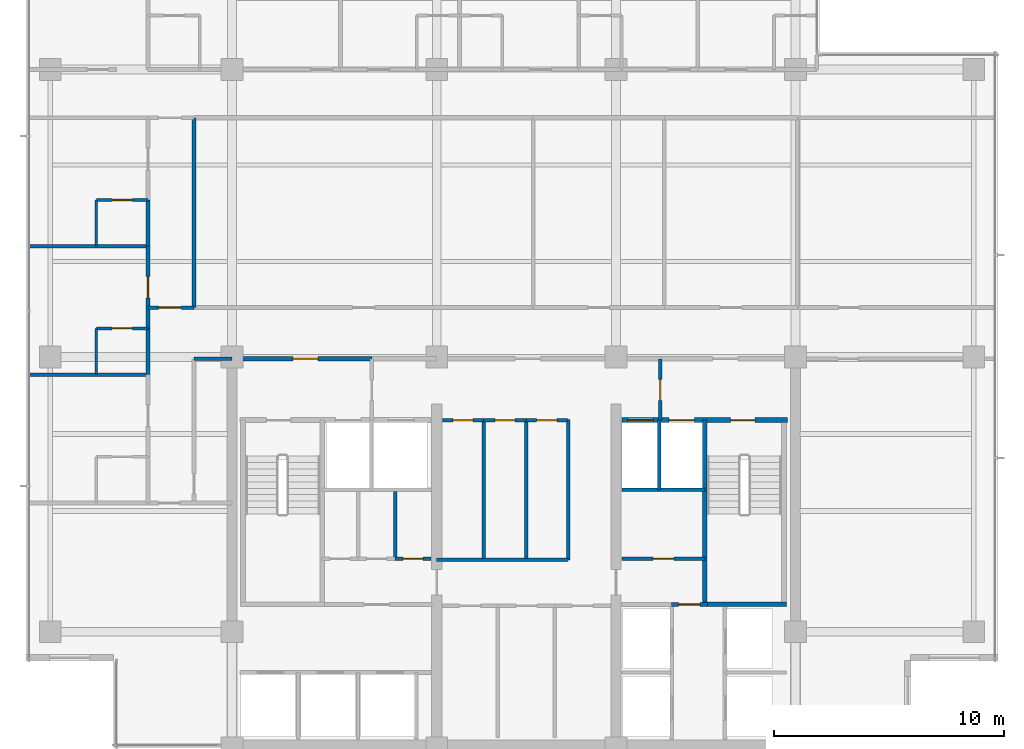
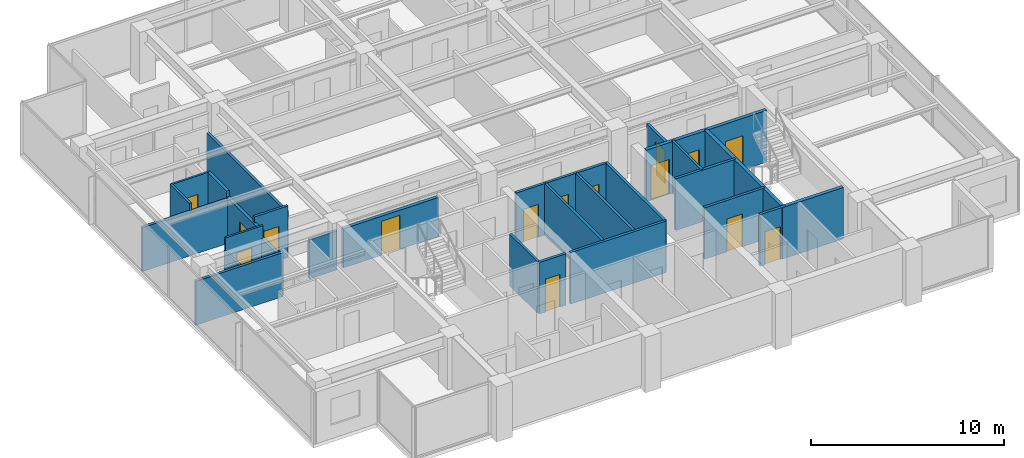
# One storey, part 8 of 15: 30 walls, 15 doors, 15 openings.
"""IFC4 building model written with IfcOpenShell, lengths in metres."""

from ifc_helpers import new_model, si_unit, direction, frame, frame_2d, origin, place, context, subcontext, project, spatial, rectangle, extrude, material, layer, layer_set, type_object, element, fill, save


model = new_model("IFC4")

# Units and contexts
model_context = context("Model", 3, precision=1e-05, world=origin(), true_north=direction((0.0, 1.0)))
body_context = subcontext(model_context, "Body", "Model", "MODEL_VIEW")
ifc_project = project(units=[si_unit("LENGTHUNIT", "METRE"), si_unit("AREAUNIT", "SQUARE_METRE"), si_unit("VOLUMEUNIT", "CUBIC_METRE"), si_unit("PLANEANGLEUNIT", "RADIAN"), si_unit("MASSUNIT", "GRAM", prefix="KILO")], contexts=[model_context])

# Site, building, storey
site_placement = place(None, origin())
site = spatial("IfcSite", under=ifc_project, at=site_placement, CompositionType="ELEMENT")
building_placement = place(site_placement, origin())
building = spatial("IfcBuilding", under=site, at=building_placement, Name="Qalmaran Belvedere Hotel", CompositionType="ELEMENT")
storey_placement = place(building_placement, frame((0.0, 0.0, 196.89990234375)))
storey = spatial("IfcBuildingStorey", under=building, at=storey_placement, Name="L49", CompositionType="ELEMENT", Elevation=196.89990234375)

# Wall, opening, door
ifc_material_1 = material(Name="Moisture-Resistant Gypsum")
ifc_layer_1 = layer(ifc_material_1, 0.1201171875, Name="Moisture-Resistant Gypsum")
ifc_layer_set_1 = layer_set([ifc_layer_1], Name="Moisture-Resistant Gypsum")
wall_type_1 = type_object("IfcWallType", Name="WL-INT-120-BATH", PredefinedType="PARTITIONING", material=ifc_layer_set_1)
wall_1_placement = place(storey_placement, frame((14.39990234375, 21.743408203125, 0.0), z_axis=(0.0, 0.0, 1.0), x_axis=(1.0, 0.0, 0.0)))
wall_1 = element("IfcWall", 1, at=wall_1_placement, inside=storey, type_object=wall_type_1, Name="L49 Partition WL-L49-WBN01", PredefinedType="PARTITIONING", context=body_context, shape_type="SweptSolid", body=[
    extrude(rectangle(XDim=2.25, YDim=0.1201171875, at=frame_2d((1.125, 0.0))), origin(), (0.0, 0.0, 1.0), 3.260009765625),
])
opening_1_placement = place(wall_1_placement, frame((1.56494140625, 0.0, 0.0), z_axis=(0.0, 0.0, 1.0), x_axis=(-1.0, 0.0, 0.0)))
opening_1 = element("IfcOpeningElement", 2, at=opening_1_placement, cuts=wall_1, Name="Opening D-BATH", PredefinedType="OPENING", context=body_context, shape_type="SweptSolid", body=[
    extrude(rectangle(XDim=0.8798828125, YDim=2.080078125, at=frame_2d((0.43994140625, 1.0400390625))), frame((0.0, 0.070068359375, 0.0), z_axis=(0.0, -1.0, 0.0), x_axis=(1.0, 0.0, 0.0)), (0.0, 0.0, 1.0), 0.14013671875),
])
ifc_material_2 = material(Name="Engineered Oak Veneer")
door_type_1 = type_object("IfcDoorType", Name="DR-INT-BATH-880X2080", OperationType="NOTDEFINED", PredefinedType="DOOR", material=ifc_material_2)
door_1_placement = place(opening_1_placement, origin())
door_1 = element("IfcDoor", 3, at=door_1_placement, inside=storey, type_object=door_type_1, Name="L49 W Ensuite Door 02", OperationType="SINGLE_SWING_RIGHT", OverallHeight=2.080078125, OverallWidth=0.8798828125, PredefinedType="DOOR", context=body_context, shape_type="SweptSolid", body=[
    extrude(rectangle(XDim=0.8798828125, YDim=2.080078125, at=frame_2d((0.43994140625, 1.0400390625))), frame((0.0, 0.02490234375, 0.0), z_axis=(0.0, -1.0, 0.0), x_axis=(1.0, 0.0, 0.0)), (0.0, 0.0, 1.0), 0.050048828125),
])
fill(opening_1, door_1)

# Wall
wall_2_placement = place(storey_placement, frame((14.39990234375, 19.7333984375, 0.0), z_axis=(0.0, 0.0, 1.0), x_axis=(0.0, 1.0, 0.0)))
element("IfcWall", 4, at=wall_2_placement, inside=storey, type_object=wall_type_1, Name="L49 Partition WL-L49-WBS01", PredefinedType="PARTITIONING", context=body_context, shape_type="SweptSolid", body=[
    extrude(rectangle(XDim=2.010009765625, YDim=0.1201171875, at=frame_2d((1.0048828125, 0.0))), origin(), (0.0, 0.0, 1.0), 2.47216796875),
])

# Wall, opening, door
wall_3_placement = place(storey_placement, frame((14.39990234375, 27.32666015625, 0.0), z_axis=(0.0, 0.0, 1.0), x_axis=(1.0, 0.0, 0.0)))
wall_3 = element("IfcWall", 5, at=wall_3_placement, inside=storey, type_object=wall_type_1, Name="L49 Partition WL-L49-WBN02", PredefinedType="PARTITIONING", context=body_context, shape_type="SweptSolid", body=[
    extrude(rectangle(XDim=2.25, YDim=0.1201171875, at=frame_2d((1.125, 0.0))), origin(), (0.0, 0.0, 1.0), 3.260009765625),
])
opening_2_placement = place(wall_3_placement, frame((1.56494140625, 0.0, 0.0), z_axis=(0.0, 0.0, 1.0), x_axis=(-1.0, 0.0, 0.0)))
opening_2 = element("IfcOpeningElement", 6, at=opening_2_placement, cuts=wall_3, Name="Opening D-BATH", PredefinedType="OPENING", context=body_context, shape_type="SweptSolid", body=[
    extrude(rectangle(XDim=0.8798828125, YDim=2.080078125, at=frame_2d((0.43994140625, 1.0400390625))), frame((0.0, 0.070068359375, 0.0), z_axis=(0.0, -1.0, 0.0), x_axis=(1.0, 0.0, 0.0)), (0.0, 0.0, 1.0), 0.14013671875),
])
door_2_placement = place(opening_2_placement, origin())
door_2 = element("IfcDoor", 7, at=door_2_placement, inside=storey, type_object=door_type_1, Name="L49 W Ensuite Door 03", OperationType="SINGLE_SWING_RIGHT", OverallHeight=2.080078125, OverallWidth=0.8798828125, PredefinedType="DOOR", context=body_context, shape_type="SweptSolid", body=[
    extrude(rectangle(XDim=0.8798828125, YDim=2.080078125, at=frame_2d((0.43994140625, 1.0400390625))), frame((0.0, 0.02490234375, 0.0), z_axis=(0.0, -1.0, 0.0), x_axis=(1.0, 0.0, 0.0)), (0.0, 0.0, 1.0), 0.050048828125),
])
fill(opening_2, door_2)

# Walls
wall_4_placement = place(storey_placement, frame((14.39990234375, 25.316650390625, 0.0), z_axis=(0.0, 0.0, 1.0), x_axis=(0.0, 1.0, 0.0)))
element("IfcWall", 8, at=wall_4_placement, inside=storey, type_object=wall_type_1, Name="L49 Partition WL-L49-WBS02", PredefinedType="PARTITIONING", context=body_context, shape_type="SweptSolid", body=[
    extrude(rectangle(XDim=2.010009765625, YDim=0.1201171875, at=frame_2d((1.0048828125, 0.0))), origin(), (0.0, 0.0, 1.0), 3.260009765625),
])
ifc_material_3 = material(Name="Gypsum Stud Partition")
ifc_layer_2 = layer(ifc_material_3, 0.14990234375, Name="Gypsum Stud Partition")
ifc_layer_set_2 = layer_set([ifc_layer_2], Name="Gypsum Stud Partition")
wall_type_2 = type_object("IfcWallType", Name="WL-INT-150-EI120", PredefinedType="PARTITIONING", material=ifc_layer_set_2)
wall_5_placement = place(storey_placement, frame((38.8798828125, 14.719970703125, 0.0), z_axis=(0.0, 0.0, 1.0), x_axis=(0.0, 1.0, 0.0)))
element("IfcWall", 9, at=wall_5_placement, inside=storey, type_object=wall_type_2, Name="L49 Partition WL-FF2M-L49", PredefinedType="PARTITIONING", context=body_context, shape_type="SweptSolid", body=[
    extrude(rectangle(XDim=3.0400390625, YDim=0.14990234375, at=frame_2d((1.52001953125, 0.0))), origin(), (0.0, 0.0, 1.0), 3.260009765625),
])
ifc_layer_3 = layer(ifc_material_3, 0.14990234375, Name="Gypsum Stud Partition")
ifc_layer_set_3 = layer_set([ifc_layer_3], Name="Gypsum Stud Partition")
wall_type_3 = type_object("IfcWallType", Name="WL-INT-150-EI60", PredefinedType="PARTITIONING", material=ifc_layer_set_3)
wall_6_placement = place(storey_placement, frame((27.38916015625, 11.719970703125, 0.0), z_axis=(0.0, 0.0, 1.0), x_axis=(0.0, 1.0, 0.0)))
element("IfcWall", 10, at=wall_6_placement, inside=storey, type_object=wall_type_3, Name="L49 Partition WL-L49-KWV2", PredefinedType="PARTITIONING", context=body_context, shape_type="SweptSolid", body=[
    extrude(rectangle(XDim=2.929931640625, YDim=0.14990234375, at=frame_2d((1.46484375, 0.0))), origin(), (0.0, 0.0, 1.0), 3.260009765625),
])
for number, where, z_axis, x_axis, name in (
    (11, (31.241943359375, 11.739990234375, 0.0), (0.0, 0.0, 1.0), (0.0, 1.0, 0.0), "L49 Partition WL-L49-KPMV1"),
    (12, (33.088134765625, 11.739990234375, 0.0), (0.0, 0.0, 1.0), (0.0, 1.0, 0.0), "L49 Partition WL-L49-KPMV2"),
):
    element("IfcWall", number, at=place(storey_placement, frame(where, z_axis=z_axis, x_axis=x_axis)), inside=storey, type_object=wall_type_3, Name=name, PredefinedType="PARTITIONING", context=body_context, shape_type="SweptSolid", body=[
        extrude(rectangle(XDim=6.010009765625, YDim=0.14990234375, at=frame_2d((3.0048828125, 0.0))), origin(), (0.0, 0.0, 1.0), 3.260009765625),
    ])

# Wall, opening, door
wall_7_placement = place(storey_placement, frame((16.64990234375, 22.64990234375, 0.0), z_axis=(0.0, 0.0, 1.0), x_axis=(1.0, 0.0, 0.0)))
wall_7 = element("IfcWall", 13, at=wall_7_placement, inside=storey, type_object=wall_type_3, Name="L49 Partition WL-L49-XCW1", PredefinedType="PARTITIONING", context=body_context, shape_type="SweptSolid", body=[
    extrude(rectangle(XDim=2.0, YDim=0.14990234375, at=frame_2d((1.0, 0.0))), origin(), (0.0, 0.0, 1.0), 3.260009765625),
])
opening_3_placement = place(wall_7_placement, frame((0.449951171875, 0.0, 0.0)))
opening_3 = element("IfcOpeningElement", 14, at=opening_3_placement, cuts=wall_7, Name="Opening FD90B", PredefinedType="OPENING", context=body_context, shape_type="SweptSolid", body=[
    extrude(rectangle(XDim=1.0, YDim=2.14990234375, at=frame_2d((0.5, 1.074951171875))), frame((0.0, 0.0849609375, 0.0), z_axis=(0.0, -1.0, 0.0), x_axis=(1.0, 0.0, 0.0)), (0.0, 0.0, 1.0), 0.169921875),
])
ifc_material_4 = material(Name="Steel S355JR", Category="steel")
door_type_2 = type_object("IfcDoorType", Name="DR-FD90B-1000X2150", OperationType="NOTDEFINED", PredefinedType="DOOR", material=ifc_material_4)
door_3_placement = place(opening_3_placement, origin())
door_3 = element("IfcDoor", 15, at=door_3_placement, inside=storey, type_object=door_type_2, Name="L49 West Corridor Smoke Door S", OperationType="SINGLE_SWING_LEFT", OverallHeight=2.14990234375, OverallWidth=1.0, PredefinedType="DOOR", context=body_context, shape_type="SweptSolid", body=[
    extrude(rectangle(XDim=1.0, YDim=2.14990234375, at=frame_2d((0.5, 1.074951171875))), frame((0.0, 0.02490234375, 0.0), z_axis=(0.0, -1.0, 0.0), x_axis=(1.0, 0.0, 0.0)), (0.0, 0.0, 1.0), 0.050048828125),
])
fill(opening_3, door_3)

ifc_layer_4 = layer(ifc_material_3, 0.159912109375, Name="Gypsum Stud Partition")
ifc_layer_set_4 = layer_set([ifc_layer_4], Name="Gypsum Stud Partition")
wall_type_4 = type_object("IfcWallType", Name="WL-INT-160-EI120", PredefinedType="PARTITIONING", material=ifc_layer_set_4)
wall_8_placement = place(storey_placement, frame((38.919921875, 17.760009765625, 0.0), z_axis=(0.0, 0.0, 1.0), x_axis=(0.0, 1.0, 0.0)))
wall_8 = element("IfcWall", 16, at=wall_8_placement, inside=storey, type_object=wall_type_4, Name="L49 Partition WL-FFSV2-L49", PredefinedType="PARTITIONING", context=body_context, shape_type="SweptSolid", body=[
    extrude(rectangle(XDim=2.659912109375, YDim=0.159912109375, at=frame_2d((1.330078125, 0.0))), origin(), (0.0, 0.0, 1.0), 2.7060546875),
])
opening_4_placement = place(wall_8_placement, frame((1.77001953125, 0.0, 0.0), z_axis=(0.0, 0.0, 1.0), x_axis=(-1.0, 0.0, 0.0)))
opening_4 = element("IfcOpeningElement", 17, at=opening_4_placement, cuts=wall_8, Name="Opening FD60S1", PredefinedType="OPENING", context=body_context, shape_type="SweptSolid", body=[
    extrude(rectangle(XDim=0.919921875, YDim=2.080078125, at=frame_2d((0.4599609375, 1.0400390625))), frame((0.0, 0.08984375, 0.0), z_axis=(0.0, -1.0, 0.0), x_axis=(1.0, 0.0, 0.0)), (0.0, 0.0, 1.0), 0.179931640625),
])
door_type_3 = type_object("IfcDoorType", Name="DR-FD60S-920X2080", OperationType="NOTDEFINED", PredefinedType="DOOR", material=ifc_material_2)
door_4_placement = place(opening_4_placement, origin())
door_4 = element("IfcDoor", 18, at=door_4_placement, inside=storey, type_object=door_type_3, Name="L49 Service Lobby East Door", OperationType="SINGLE_SWING_LEFT", OverallHeight=2.080078125, OverallWidth=0.919921875, PredefinedType="DOOR", context=body_context, shape_type="SweptSolid", body=[
    extrude(rectangle(XDim=0.919921875, YDim=2.080078125, at=frame_2d((0.4599609375, 1.0400390625))), frame((0.0, 0.02490234375, 0.0), z_axis=(0.0, -1.0, 0.0), x_axis=(1.0, 0.0, 0.0)), (0.0, 0.0, 1.0), 0.050048828125),
])
fill(opening_4, door_4)

# Wall
wall_9_placement = place(storey_placement, frame((37.25, 14.719970703125, 0.0), z_axis=(0.0, 0.0, 1.0), x_axis=(1.0, 0.0, 0.0)))
element("IfcWall", 19, at=wall_9_placement, inside=storey, type_object=wall_type_4, Name="L49 Partition WL-FF2S-L49", PredefinedType="PARTITIONING", context=body_context, shape_type="SweptSolid", body=[
    extrude(rectangle(XDim=3.610107421875, YDim=0.159912109375, at=frame_2d((1.80517578125, 0.0))), origin(), (0.0, 0.0, 1.0), 3.260009765625),
])

# Wall, opening, door
wall_10_placement = place(storey_placement, frame((39.419921875, 9.739990234375, 0.0), z_axis=(0.0, 0.0, 1.0), x_axis=(1.0, 0.0, 0.0)))
wall_10 = element("IfcWall", 20, at=wall_10_placement, inside=storey, type_object=wall_type_4, Name="L49 Partition WL-PHNL-L49", PredefinedType="PARTITIONING", context=body_context, shape_type="SweptSolid", body=[
    extrude(rectangle(XDim=1.56005859375, YDim=0.159912109375, at=frame_2d((0.780029296875, 0.0))), origin(), (0.0, 0.0, 1.0), 3.260009765625),
])
opening_5_placement = place(wall_10_placement, frame((0.300048828125, 0.0, 0.0)))
opening_5 = element("IfcOpeningElement", 21, at=opening_5_placement, cuts=wall_10, Name="Opening FD60S1", PredefinedType="OPENING", context=body_context, shape_type="SweptSolid", body=[
    extrude(rectangle(XDim=0.919921875, YDim=2.080078125, at=frame_2d((0.4599609375, 1.0400390625))), frame((0.0, 0.08984375, 0.0), z_axis=(0.0, -1.0, 0.0), x_axis=(1.0, 0.0, 0.0)), (0.0, 0.0, 1.0), 0.179931640625),
])
door_5_placement = place(opening_5_placement, origin())
door_5 = element("IfcDoor", 22, at=door_5_placement, inside=storey, type_object=door_type_3, Name="L49 High-Rise Lift Lobby Passage Door", OperationType="SINGLE_SWING_RIGHT", OverallHeight=2.080078125, OverallWidth=0.919921875, PredefinedType="DOOR", context=body_context, shape_type="SweptSolid", body=[
    extrude(rectangle(XDim=0.919921875, YDim=2.080078125, at=frame_2d((0.4599609375, 1.0400390625))), frame((0.0, 0.02490234375, 0.0), z_axis=(0.0, -1.0, 0.0), x_axis=(1.0, 0.0, 0.0)), (0.0, 0.0, 1.0), 0.050048828125),
])
fill(opening_5, door_5)

ifc_layer_5 = layer(ifc_material_3, 0.159912109375, Name="Gypsum Stud Partition")
ifc_layer_set_5 = layer_set([ifc_layer_5], Name="Gypsum Stud Partition")
wall_type_5 = type_object("IfcWallType", Name="WL-INT-160-EI60", PredefinedType="PARTITIONING", material=ifc_layer_set_5)
wall_11_placement = place(storey_placement, frame((27.38916015625, 11.719970703125, 0.0), z_axis=(0.0, 0.0, 1.0), x_axis=(1.0, 0.0, 0.0)))
wall_11 = element("IfcWall", 23, at=wall_11_placement, inside=storey, type_object=wall_type_5, Name="L49 Partition WL-L49-KWE3", PredefinedType="PARTITIONING", context=body_context, shape_type="SweptSolid", body=[
    extrude(rectangle(XDim=1.560791015625, YDim=0.159912109375, at=frame_2d((0.7802734375, 0.0))), origin(), (0.0, 0.0, 1.0), 3.260009765625),
])
opening_6_placement = place(wall_11_placement, frame((0.340576171875, 0.0, 0.0)))
opening_6 = element("IfcOpeningElement", 24, at=opening_6_placement, cuts=wall_11, Name="Opening FD60B", PredefinedType="OPENING", context=body_context, shape_type="SweptSolid", body=[
    extrude(rectangle(XDim=0.8798828125, YDim=2.080078125, at=frame_2d((0.43994140625, 1.0400390625))), frame((0.0, 0.08984375, 0.0), z_axis=(0.0, -1.0, 0.0), x_axis=(1.0, 0.0, 0.0)), (0.0, 0.0, 1.0), 0.179931640625),
])
door_type_4 = type_object("IfcDoorType", Name="DR-FD60B-880X2080", OperationType="NOTDEFINED", PredefinedType="DOOR", material=ifc_material_4)
door_6_placement = place(opening_6_placement, origin())
door_6 = element("IfcDoor", 25, at=door_6_placement, inside=storey, type_object=door_type_4, Name="L49 Telecom and IT Room Door", OperationType="SINGLE_SWING_LEFT", OverallHeight=2.080078125, OverallWidth=0.8798828125, PredefinedType="DOOR", context=body_context, shape_type="SweptSolid", body=[
    extrude(rectangle(XDim=0.8798828125, YDim=2.080078125, at=frame_2d((0.43994140625, 1.0400390625))), frame((0.0, 0.02490234375, 0.0), z_axis=(0.0, -1.0, 0.0), x_axis=(1.0, 0.0, 0.0)), (0.0, 0.0, 1.0), 0.050048828125),
])
fill(opening_6, door_6)

wall_12_placement = place(storey_placement, frame((37.25, 11.719970703125, 0.0), z_axis=(0.0, 0.0, 1.0), x_axis=(1.0, 0.0, 0.0)))
wall_12 = element("IfcWall", 26, at=wall_12_placement, inside=storey, type_object=wall_type_5, Name="L49 Partition WL-L49-KEE1", PredefinedType="PARTITIONING", context=body_context, shape_type="SweptSolid", body=[
    extrude(rectangle(XDim=3.610107421875, YDim=0.159912109375, at=frame_2d((1.80517578125, 0.0))), origin(), (0.0, 0.0, 1.0), 3.260009765625),
])
opening_7_placement = place(wall_12_placement, frame((1.344970703125, 0.0, 0.0)))
opening_7 = element("IfcOpeningElement", 27, at=opening_7_placement, cuts=wall_12, Name="Opening FD60S1", PredefinedType="OPENING", context=body_context, shape_type="SweptSolid", body=[
    extrude(rectangle(XDim=0.919921875, YDim=2.080078125, at=frame_2d((0.4599609375, 1.0400390625))), frame((0.0, 0.08984375, 0.0), z_axis=(0.0, -1.0, 0.0), x_axis=(1.0, 0.0, 0.0)), (0.0, 0.0, 1.0), 0.179931640625),
])
door_7_placement = place(opening_7_placement, origin())
door_7 = element("IfcDoor", 28, at=door_7_placement, inside=storey, type_object=door_type_3, Name="L49 Guest Ice and Beverage Pantry Door", OperationType="SINGLE_SWING_RIGHT", OverallHeight=2.080078125, OverallWidth=0.919921875, PredefinedType="DOOR", context=body_context, shape_type="SweptSolid", body=[
    extrude(rectangle(XDim=0.919921875, YDim=2.080078125, at=frame_2d((0.4599609375, 1.0400390625))), frame((0.0, 0.02490234375, 0.0), z_axis=(0.0, -1.0, 0.0), x_axis=(1.0, 0.0, 0.0)), (0.0, 0.0, 1.0), 0.050048828125),
])
fill(opening_7, door_7)

# Walls
wall_13_placement = place(storey_placement, frame((34.919921875, 11.679931640625, 0.0), z_axis=(0.0, 0.0, 1.0), x_axis=(0.0, 1.0, 0.0)))
element("IfcWall", 29, at=wall_13_placement, inside=storey, type_object=wall_type_5, Name="L49 Partition WL-CLLV-L49", PredefinedType="PARTITIONING", context=body_context, shape_type="SweptSolid", body=[
    extrude(rectangle(XDim=6.10009765625, YDim=0.159912109375, at=frame_2d((3.050048828125, 0.0))), origin(), (0.0, 0.0, 1.0), 3.260009765625),
])
wall_14_placement = place(storey_placement, frame((29.199951171875, 11.679931640625, 0.0), z_axis=(0.0, 0.0, 1.0), x_axis=(1.0, 0.0, 0.0)))
element("IfcWall", 30, at=wall_14_placement, inside=storey, type_object=wall_type_5, Name="L49 Partition WL-PMFS-L49", PredefinedType="PARTITIONING", context=body_context, shape_type="SweptSolid", body=[
    extrude(rectangle(XDim=5.719970703125, YDim=0.159912109375, at=frame_2d((2.85986328125, 0.0))), origin(), (0.0, 0.0, 1.0), 3.260009765625),
])

# Wall, opening, door
wall_15_placement = place(storey_placement, frame((29.449951171875, 17.75, 0.0), z_axis=(0.0, 0.0, 1.0), x_axis=(1.0, 0.0, 0.0)))
wall_15 = element("IfcWall", 31, at=wall_15_placement, inside=storey, type_object=wall_type_5, Name="L49 Partition WL-L49-KPME1", PredefinedType="PARTITIONING", context=body_context, shape_type="SweptSolid", body=[
    extrude(rectangle(XDim=1.7919921875, YDim=0.159912109375, at=frame_2d((0.89599609375, 0.0))), origin(), (0.0, 0.0, 1.0), 3.260009765625),
])
opening_8_placement = place(wall_15_placement, frame((1.3359375, 0.0, 0.0), z_axis=(0.0, 0.0, 1.0), x_axis=(-1.0, 0.0, 0.0)))
opening_8 = element("IfcOpeningElement", 32, at=opening_8_placement, cuts=wall_15, Name="Opening FD60B", PredefinedType="OPENING", context=body_context, shape_type="SweptSolid", body=[
    extrude(rectangle(XDim=0.8798828125, YDim=2.080078125, at=frame_2d((0.43994140625, 1.0400390625))), frame((0.0, 0.08984375, 0.0), z_axis=(0.0, -1.0, 0.0), x_axis=(1.0, 0.0, 0.0)), (0.0, 0.0, 1.0), 0.179931640625),
])
door_8_placement = place(opening_8_placement, origin())
door_8 = element("IfcDoor", 33, at=door_8_placement, inside=storey, type_object=door_type_4, Name="L49 Executive Butler Pantry Door", OperationType="SINGLE_SWING_RIGHT", OverallHeight=2.080078125, OverallWidth=0.8798828125, PredefinedType="DOOR", context=body_context, shape_type="SweptSolid", body=[
    extrude(rectangle(XDim=0.8798828125, YDim=2.080078125, at=frame_2d((0.43994140625, 1.0400390625))), frame((0.0, 0.02490234375, 0.0), z_axis=(0.0, -1.0, 0.0), x_axis=(1.0, 0.0, 0.0)), (0.0, 0.0, 1.0), 0.050048828125),
])
fill(opening_8, door_8)

wall_16_placement = place(storey_placement, frame((31.241943359375, 17.75, 0.0), z_axis=(0.0, 0.0, 1.0), x_axis=(1.0, 0.0, 0.0)))
wall_16 = element("IfcWall", 34, at=wall_16_placement, inside=storey, type_object=wall_type_5, Name="L49 Partition WL-L49-KPME2", PredefinedType="PARTITIONING", context=body_context, shape_type="SweptSolid", body=[
    extrude(rectangle(XDim=1.84619140625, YDim=0.159912109375, at=frame_2d((0.923095703125, 0.0))), origin(), (0.0, 0.0, 1.0), 3.260009765625),
])
opening_9_placement = place(wall_16_placement, frame((1.363037109375, 0.0, 0.0), z_axis=(0.0, 0.0, 1.0), x_axis=(-1.0, 0.0, 0.0)))
opening_9 = element("IfcOpeningElement", 35, at=opening_9_placement, cuts=wall_16, Name="Opening FD60B", PredefinedType="OPENING", context=body_context, shape_type="SweptSolid", body=[
    extrude(rectangle(XDim=0.8798828125, YDim=2.080078125, at=frame_2d((0.43994140625, 1.0400390625))), frame((0.0, 0.08984375, 0.0), z_axis=(0.0, -1.0, 0.0), x_axis=(1.0, 0.0, 0.0)), (0.0, 0.0, 1.0), 0.179931640625),
])
door_9_placement = place(opening_9_placement, origin())
door_9 = element("IfcDoor", 36, at=door_9_placement, inside=storey, type_object=door_type_4, Name="L49 Floor Linen Supply Store Door", OperationType="SINGLE_SWING_LEFT", OverallHeight=2.080078125, OverallWidth=0.8798828125, PredefinedType="DOOR", context=body_context, shape_type="SweptSolid", body=[
    extrude(rectangle(XDim=0.8798828125, YDim=2.080078125, at=frame_2d((0.43994140625, 1.0400390625))), frame((0.0, 0.02490234375, 0.0), z_axis=(0.0, -1.0, 0.0), x_axis=(1.0, 0.0, 0.0)), (0.0, 0.0, 1.0), 0.050048828125),
])
fill(opening_9, door_9)

wall_17_placement = place(storey_placement, frame((33.088134765625, 17.75, 0.0), z_axis=(0.0, 0.0, 1.0), x_axis=(1.0, 0.0, 0.0)))
wall_17 = element("IfcWall", 37, at=wall_17_placement, inside=storey, type_object=wall_type_5, Name="L49 Partition WL-L49-KPME3", PredefinedType="PARTITIONING", context=body_context, shape_type="SweptSolid", body=[
    extrude(rectangle(XDim=1.791748046875, YDim=0.159912109375, at=frame_2d((0.89599609375, 0.0))), origin(), (0.0, 0.0, 1.0), 3.260009765625),
])
opening_10_placement = place(wall_17_placement, frame((1.3359375, 0.0, 0.0), z_axis=(0.0, 0.0, 1.0), x_axis=(-1.0, 0.0, 0.0)))
opening_10 = element("IfcOpeningElement", 38, at=opening_10_placement, cuts=wall_17, Name="Opening FD60B", PredefinedType="OPENING", context=body_context, shape_type="SweptSolid", body=[
    extrude(rectangle(XDim=0.8798828125, YDim=2.080078125, at=frame_2d((0.43994140625, 1.0400390625))), frame((0.0, 0.08984375, 0.0), z_axis=(0.0, -1.0, 0.0), x_axis=(1.0, 0.0, 0.0)), (0.0, 0.0, 1.0), 0.179931640625),
])
door_10_placement = place(opening_10_placement, origin())
door_10 = element("IfcDoor", 39, at=door_10_placement, inside=storey, type_object=door_type_4, Name="L49 Core Tableware Store Door", OperationType="SINGLE_SWING_RIGHT", OverallHeight=2.080078125, OverallWidth=0.8798828125, PredefinedType="DOOR", context=body_context, shape_type="SweptSolid", body=[
    extrude(rectangle(XDim=0.8798828125, YDim=2.080078125, at=frame_2d((0.43994140625, 1.0400390625))), frame((0.0, 0.02490234375, 0.0), z_axis=(0.0, -1.0, 0.0), x_axis=(1.0, 0.0, 0.0)), (0.0, 0.0, 1.0), 0.050048828125),
])
fill(opening_10, door_10)

# Walls
wall_18_placement = place(storey_placement, frame((18.64990234375, 20.419921875, 0.0), z_axis=(0.0, 0.0, 1.0), x_axis=(1.0, 0.0, 0.0)))
element("IfcWall", 40, at=wall_18_placement, inside=storey, type_object=wall_type_5, Name="L49 Partition WL-L49-WCLN", PredefinedType="PARTITIONING", context=body_context, shape_type="SweptSolid", body=[
    extrude(rectangle(XDim=1.650146484375, YDim=0.159912109375, at=frame_2d((0.8251953125, 0.0))), origin(), (0.0, 0.0, 1.0), 2.47216796875),
])
wall_19_placement = place(storey_placement, frame((18.64990234375, 22.64990234375, 0.0), z_axis=(0.0, 0.0, 1.0), x_axis=(0.0, 1.0, 0.0)))
element("IfcWall", 41, at=wall_19_placement, inside=storey, type_object=wall_type_5, Name="L49 Partition WL-L49-MIDVL", PredefinedType="PARTITIONING", context=body_context, shape_type="SweptSolid", body=[
    extrude(rectangle(XDim=8.25, YDim=0.159912109375, at=frame_2d((4.125, 0.0))), origin(), (0.0, 0.0, 1.0), 2.88720703125),
])
for number, where, z_axis, x_axis, name in (
    (42, (11.469970703125, 19.7333984375, 0.0), (0.0, 0.0, 1.0), (1.0, 0.0, 0.0), "L49 Partition WL-L49-WU00"),
    (43, (11.469970703125, 25.316650390625, 0.0), (0.0, 0.0, 1.0), (1.0, 0.0, 0.0), "L49 Partition WL-L49-WU01"),
):
    element("IfcWall", number, at=place(storey_placement, frame(where, z_axis=z_axis, x_axis=x_axis)), inside=storey, type_object=wall_type_5, Name=name, PredefinedType="PARTITIONING", context=body_context, shape_type="SweptSolid", body=[
        extrude(rectangle(XDim=5.179931640625, YDim=0.159912109375, at=frame_2d((2.58984375, 0.0))), origin(), (0.0, 0.0, 1.0), 2.781982421875),
    ])
ifc_layer_6 = layer(ifc_material_3, 0.179931640625, Name="Gypsum Stud Partition")
ifc_layer_set_6 = layer_set([ifc_layer_6], Name="Gypsum Stud Partition")
wall_type_6 = type_object("IfcWallType", Name="WL-INT-180-EI60", PredefinedType="PARTITIONING", material=ifc_layer_set_6)
wall_20_placement = place(storey_placement, frame((16.64990234375, 19.7333984375, 0.0), z_axis=(0.0, 0.0, 1.0), x_axis=(0.0, 1.0, 0.0)))
element("IfcWall", 44, at=wall_20_placement, inside=storey, type_object=wall_type_6, Name="L49 Partition WL-L49-WBC01", PredefinedType="PARTITIONING", context=body_context, shape_type="SweptSolid", body=[
    extrude(rectangle(XDim=2.010009765625, YDim=0.179931640625, at=frame_2d((1.0048828125, 0.0))), origin(), (0.0, 0.0, 1.0), 2.47216796875),
])

# Wall, opening, door
wall_21_placement = place(storey_placement, frame((16.64990234375, 21.743408203125, 0.0), z_axis=(0.0, 0.0, 1.0), x_axis=(0.0, 1.0, 0.0)))
wall_21 = element("IfcWall", 45, at=wall_21_placement, inside=storey, type_object=wall_type_6, Name="L49 Partition WL-L49-WEC01", PredefinedType="PARTITIONING", context=body_context, shape_type="SweptSolid", body=[
    extrude(rectangle(XDim=3.5732421875, YDim=0.179931640625, at=frame_2d((1.78662109375, 0.0))), origin(), (0.0, 0.0, 1.0), 2.88720703125),
])
opening_11_placement = place(wall_21_placement, frame((1.311767578125, 0.0, 0.0)))
opening_11 = element("IfcOpeningElement", 46, at=opening_11_placement, cuts=wall_21, Name="Opening FD60", PredefinedType="OPENING", context=body_context, shape_type="SweptSolid", body=[
    extrude(rectangle(XDim=0.949951171875, YDim=2.14990234375, at=frame_2d((0.47509765625, 1.074951171875))), frame((0.0, 0.10009765625, 0.0), z_axis=(0.0, -1.0, 0.0), x_axis=(1.0, 0.0, 0.0)), (0.0, 0.0, 1.0), 0.199951171875),
])
door_type_5 = type_object("IfcDoorType", Name="DR-FD60-950X2150", OperationType="NOTDEFINED", PredefinedType="DOOR", material=ifc_material_2)
door_11_placement = place(opening_11_placement, origin())
door_11 = element("IfcDoor", 47, at=door_11_placement, inside=storey, type_object=door_type_5, Name="L49 W Wing Door 02", OperationType="SINGLE_SWING_LEFT", OverallHeight=2.14990234375, OverallWidth=0.949951171875, PredefinedType="DOOR", context=body_context, shape_type="SweptSolid", body=[
    extrude(rectangle(XDim=0.949951171875, YDim=2.14990234375, at=frame_2d((0.47509765625, 1.074951171875))), frame((0.0, 0.02490234375, 0.0), z_axis=(0.0, -1.0, 0.0), x_axis=(1.0, 0.0, 0.0)), (0.0, 0.0, 1.0), 0.050048828125),
])
fill(opening_11, door_11)

# Wall
wall_22_placement = place(storey_placement, frame((16.64990234375, 25.316650390625, 0.0), z_axis=(0.0, 0.0, 1.0), x_axis=(0.0, 1.0, 0.0)))
element("IfcWall", 48, at=wall_22_placement, inside=storey, type_object=wall_type_6, Name="L49 Partition WL-L49-WBC02", PredefinedType="PARTITIONING", context=body_context, shape_type="SweptSolid", body=[
    extrude(rectangle(XDim=2.010009765625, YDim=0.179931640625, at=frame_2d((1.0048828125, 0.0))), origin(), (0.0, 0.0, 1.0), 3.260009765625),
])

# Wall, opening, door
ifc_material_5 = material(Name="Concrete C30/37 Blockwork", Category="masonry")
ifc_layer_7 = layer(ifc_material_5, 0.199951171875, Name="Concrete C30/37 Blockwork")
ifc_layer_set_7 = layer_set([ifc_layer_7], Name="Concrete C30/37 Blockwork")
wall_type_7 = type_object("IfcWallType", Name="WL-INT-200-EI120", PredefinedType="PARTITIONING", material=ifc_layer_set_7)
wall_23_placement = place(storey_placement, frame((20.64990234375, 20.419921875, 0.0), z_axis=(0.0, 0.0, 1.0), x_axis=(1.0, 0.0, 0.0)))
wall_23 = element("IfcWall", 49, at=wall_23_placement, inside=storey, type_object=wall_type_7, Name="L49 Partition WL-CN1A-L49", PredefinedType="PARTITIONING", context=body_context, shape_type="SweptSolid", body=[
    extrude(rectangle(XDim=5.72998046875, YDim=0.199951171875, at=frame_2d((2.864990234375, 0.0))), origin(), (0.0, 0.0, 1.0), 2.47216796875),
])
opening_12_placement = place(wall_23_placement, frame((2.300048828125, 0.0, 0.0)))
opening_12 = element("IfcOpeningElement", 50, at=opening_12_placement, cuts=wall_23, Name="Opening FD90", PredefinedType="OPENING", context=body_context, shape_type="SweptSolid", body=[
    extrude(rectangle(XDim=1.10009765625, YDim=2.14990234375, at=frame_2d((0.550048828125, 1.074951171875))), frame((0.0, 0.10986328125, 0.0), z_axis=(0.0, -1.0, 0.0), x_axis=(1.0, 0.0, 0.0)), (0.0, 0.0, 1.0), 0.219970703125),
])
door_type_6 = type_object("IfcDoorType", Name="DR-FD90-1100X2150", OperationType="NOTDEFINED", PredefinedType="DOOR", material=ifc_material_4)
door_12_placement = place(opening_12_placement, origin())
door_12 = element("IfcDoor", 51, at=door_12_placement, inside=storey, type_object=door_type_6, Name="L49 FF1 Lobby Corridor Door", OperationType="SINGLE_SWING_RIGHT", OverallHeight=2.14990234375, OverallWidth=1.10009765625, PredefinedType="DOOR", context=body_context, shape_type="SweptSolid", body=[
    extrude(rectangle(XDim=1.10009765625, YDim=2.14990234375, at=frame_2d((0.550048828125, 1.074951171875))), frame((0.0, 0.02490234375, 0.0), z_axis=(0.0, -1.0, 0.0), x_axis=(1.0, 0.0, 0.0)), (0.0, 0.0, 1.0), 0.050048828125),
])
fill(opening_12, door_12)

# Walls
ifc_material_6 = material(Name="Concrete C50/60", Category="concrete")
ifc_layer_8 = layer(ifc_material_6, 0.2099609375, Name="Concrete C50/60")
ifc_layer_set_8 = layer_set([ifc_layer_8], Name="Concrete C50/60")
wall_type_8 = type_object("IfcWallType", Name="WL-STAIR-210-C50", PredefinedType="SHEAR", material=ifc_layer_set_8)
wall_24_placement = place(storey_placement, frame((40.85498046875, 9.7451171875, 0.0), z_axis=(0.0, 0.0, 1.0), x_axis=(0.0, 1.0, 0.0)))
element("IfcWall", 52, at=wall_24_placement, inside=storey, type_object=wall_type_8, Name="L49 Stair ST-2 West Bearing Wall", PredefinedType="SHEAR", context=body_context, shape_type="SweptSolid", body=[
    extrude(rectangle(XDim=8.009765625, YDim=0.2099609375, at=frame_2d((4.0048828125, 0.0))), origin(), (0.0, 0.0, 1.0), 3.260009765625),
])
wall_25_placement = place(storey_placement, frame((40.75, 9.7451171875, 0.0), z_axis=(0.0, 0.0, 1.0), x_axis=(1.0, 0.0, 0.0)))
element("IfcWall", 53, at=wall_25_placement, inside=storey, type_object=wall_type_8, Name="L49 Stair ST-2 South Bearing Wall", PredefinedType="SHEAR", context=body_context, shape_type="SweptSolid", body=[
    extrude(rectangle(XDim=3.659912109375, YDim=0.2099609375, at=frame_2d((1.830078125, 0.0))), origin(), (0.0, 0.0, 1.0), 3.260009765625),
])

# Wall, openings, doors
wall_26_placement = place(storey_placement, frame((37.25, 17.7548828125, 0.0), z_axis=(0.0, 0.0, 1.0), x_axis=(1.0, 0.0, 0.0)))
wall_26 = element("IfcWall", 54, at=wall_26_placement, inside=storey, type_object=wall_type_8, Name="L49 East Lobby and Stair ST-2 North Bearing Wall", PredefinedType="SHEAR", context=body_context, shape_type="SweptSolid", body=[
    extrude(rectangle(XDim=7.199951171875, YDim=0.2099609375, at=frame_2d((3.60009765625, 0.0))), origin(), (0.0, 0.0, 1.0), 3.260009765625),
])
opening_13_placement = place(wall_26_placement, frame((0.25, 0.0, 0.0)))
opening_13 = element("IfcOpeningElement", 55, at=opening_13_placement, cuts=wall_26, Name="Opening LD-SV", PredefinedType="OPENING", context=body_context, shape_type="SweptSolid", body=[
    extrude(rectangle(XDim=1.1201171875, YDim=2.199951171875, at=frame_2d((0.56005859375, 1.10009765625))), frame((0.0, 0.114990234375, 0.0), z_axis=(0.0, -1.0, 0.0), x_axis=(1.0, 0.0, 0.0)), (0.0, 0.0, 1.0), 0.22998046875),
])
opening_14_placement = place(wall_26_placement, frame((2.050048828125, 0.0, 0.0)))
opening_14 = element("IfcOpeningElement", 56, at=opening_14_placement, cuts=wall_26, Name="Opening LD-FF", PredefinedType="OPENING", context=body_context, shape_type="SweptSolid", body=[
    extrude(rectangle(XDim=1.10009765625, YDim=2.179931640625, at=frame_2d((0.550048828125, 1.08984375))), frame((0.0, 0.114990234375, 0.0), z_axis=(0.0, -1.0, 0.0), x_axis=(1.0, 0.0, 0.0)), (0.0, 0.0, 1.0), 0.22998046875),
])
opening_15_placement = place(wall_26_placement, frame((5.780029296875, 0.0, 0.0), z_axis=(0.0, 0.0, 1.0), x_axis=(-1.0, 0.0, 0.0)))
opening_15 = element("IfcOpeningElement", 57, at=opening_15_placement, cuts=wall_26, Name="Opening FD90S2", PredefinedType="OPENING", context=body_context, shape_type="SweptSolid", body=[
    extrude(rectangle(XDim=1.050048828125, YDim=2.14990234375, at=frame_2d((0.52490234375, 1.074951171875))), frame((0.0, 0.114990234375, 0.0), z_axis=(0.0, -1.0, 0.0), x_axis=(1.0, 0.0, 0.0)), (0.0, 0.0, 1.0), 0.22998046875),
])
door_type_7 = type_object("IfcDoorType", Name="DR-FD90S-1050X2150", OperationType="NOTDEFINED", PredefinedType="DOOR", material=ifc_material_4)
door_13_placement = place(opening_15_placement, origin())
door_13 = element("IfcDoor", 58, at=door_13_placement, inside=storey, type_object=door_type_7, Name="L49 Stair ST-2 Door", OperationType="SINGLE_SWING_LEFT", OverallHeight=2.14990234375, OverallWidth=1.050048828125, PredefinedType="DOOR", context=body_context, shape_type="SweptSolid", body=[
    extrude(rectangle(XDim=1.050048828125, YDim=2.14990234375, at=frame_2d((0.52490234375, 1.074951171875))), frame((0.0, 0.02490234375, 0.0), z_axis=(0.0, -1.0, 0.0), x_axis=(1.0, 0.0, 0.0)), (0.0, 0.0, 1.0), 0.050048828125),
])
fill(opening_15, door_13)
ifc_material_7 = material(Name="Stainless Steel 1.4401", Category="steel")
door_type_8 = type_object("IfcDoorType", Name="DR-LIFT-FF-1100X2180", OperationType="DOUBLE_DOOR_SLIDING", PredefinedType="DOOR", material=ifc_material_7)
door_14_placement = place(opening_14_placement, origin())
door_14 = element("IfcDoor", 59, at=door_14_placement, inside=storey, type_object=door_type_8, Name="L49 FF2 Lift Landing Door", OperationType="DOUBLE_DOOR_SLIDING", OverallHeight=2.179931640625, OverallWidth=1.10009765625, PredefinedType="DOOR", context=body_context, shape_type="SweptSolid", body=[
    extrude(rectangle(XDim=1.10009765625, YDim=2.179931640625, at=frame_2d((0.550048828125, 1.08984375))), frame((0.0, 0.02490234375, 0.0), z_axis=(0.0, -1.0, 0.0), x_axis=(1.0, 0.0, 0.0)), (0.0, 0.0, 1.0), 0.050048828125),
])
fill(opening_14, door_14)
door_type_9 = type_object("IfcDoorType", Name="DR-LIFT-SV-1120X2200", OperationType="DOUBLE_DOOR_SLIDING", PredefinedType="DOOR", material=ifc_material_7)
door_15_placement = place(opening_13_placement, origin())
door_15 = element("IfcDoor", 60, at=door_15_placement, inside=storey, type_object=door_type_9, Name="L49 SV2 Lift Landing Door", OperationType="DOUBLE_DOOR_SLIDING", OverallHeight=2.199951171875, OverallWidth=1.1201171875, PredefinedType="DOOR", context=body_context, shape_type="SweptSolid", body=[
    extrude(rectangle(XDim=1.1201171875, YDim=2.199951171875, at=frame_2d((0.56005859375, 1.10009765625))), frame((0.0, 0.02490234375, 0.0), z_axis=(0.0, -1.0, 0.0), x_axis=(1.0, 0.0, 0.0)), (0.0, 0.0, 1.0), 0.050048828125),
])
fill(opening_13, door_15)

save(model, "model.ifc")
